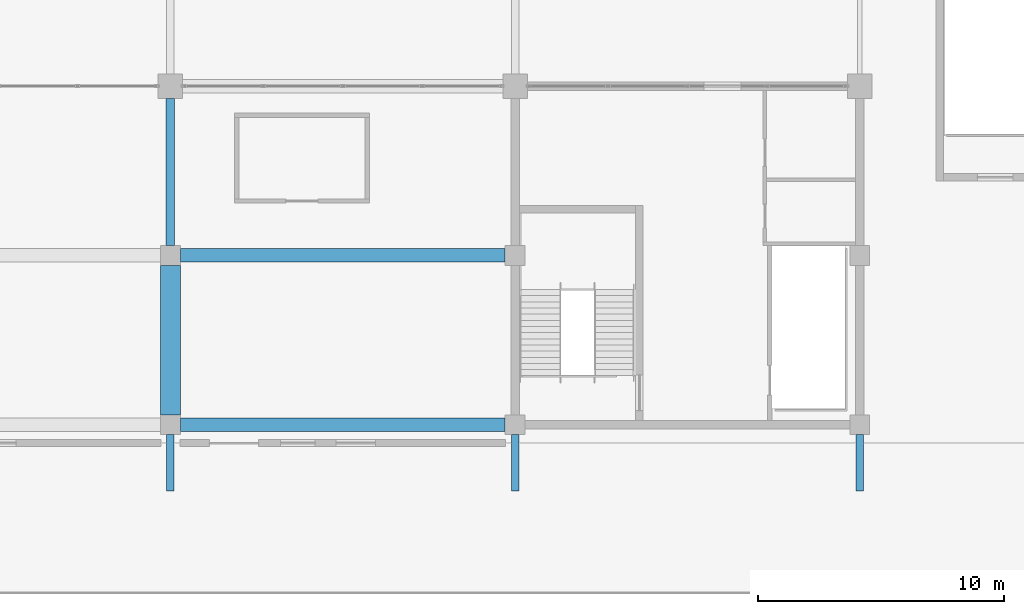
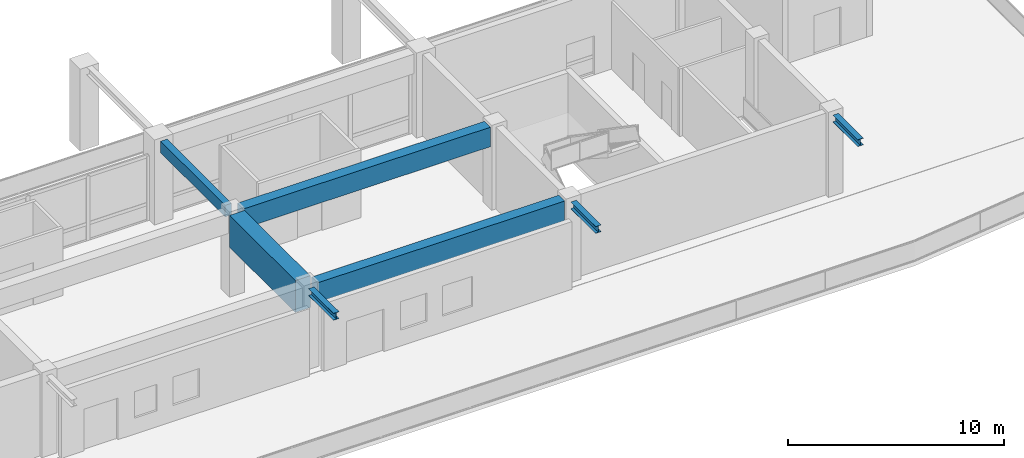
# One storey, part 24 of 91: 7 beams.
"""IFC4 building model written with IfcOpenShell, lengths in metres."""

from ifc_helpers import new_model, si_unit, direction, frame, origin, origin_2d, place, context, subcontext, project, spatial, rectangle, i_section, extrude, material, material_profile, profile_set, type_object, element, save


model = new_model("IFC4")

# Units and contexts
model_context = context("Model", 3, precision=1e-05, world=origin(), true_north=direction((0.0, 1.0)))
body_context = subcontext(model_context, "Body", "Model", "MODEL_VIEW")
ifc_project = project(units=[si_unit("LENGTHUNIT", "METRE"), si_unit("AREAUNIT", "SQUARE_METRE"), si_unit("VOLUMEUNIT", "CUBIC_METRE"), si_unit("PLANEANGLEUNIT", "RADIAN"), si_unit("MASSUNIT", "GRAM", prefix="KILO")], contexts=[model_context])

# Site, building, storey
site_placement = place(None, origin())
site = spatial("IfcSite", under=ifc_project, at=site_placement, CompositionType="ELEMENT")
building_placement = place(site_placement, origin())
building = spatial("IfcBuilding", under=site, at=building_placement, Name="Linyun Crest Stadium", CompositionType="ELEMENT")
storey_placement = place(building_placement, frame((0.0, 0.0, 11.39990234375)))
storey = spatial("IfcBuildingStorey", under=building, at=storey_placement, Name="L03", CompositionType="ELEMENT", Elevation=11.39990234375)

# Beams
ifc_material_1 = material(Name="Concrete C40", Category="concrete")
ifc_material_profile_1 = material_profile(ifc_material_1, rectangle(XDim=0.35009765625, YDim=0.64990234375, at=origin_2d()), Name="RCB 650x350")
ifc_profile_set_1 = profile_set([ifc_material_profile_1], Name="Concrete C40")
beam_type_1 = type_object("IfcBeamType", Name="B02", PredefinedType="BEAM", material=ifc_profile_set_1)
beam_1_placement = place(storey_placement, frame((0.0, -79.97509765625, 4.295166015625), z_axis=(0.0, 1.0, 0.0), x_axis=(-1.0, 0.0, 0.0)))
element("IfcBeam", 1, at=beam_1_placement, inside=storey, type_object=beam_type_1, Name="Frame beam B02 L03 936", PredefinedType="BEAM", context=body_context, shape_type="SweptSolid", body=[
    extrude(rectangle(XDim=0.35009765625, YDim=0.64990234375, at=origin_2d()), origin(), (0.0, 0.0, 1.0), 5.97509765625),
])
ifc_material_2 = material(Name="Steel Q355C", Category="steel")
ifc_material_profile_2 = material_profile(ifc_material_2, i_section(OverallWidth=0.300048828125, OverallDepth=0.389892578125, WebThickness=0.010009765625, FlangeThickness=0.01611328125, at=origin_2d()), Name="HM 390x300")
ifc_profile_set_2 = profile_set([ifc_material_profile_2], Name="Steel Q355C")
beam_type_2 = type_object("IfcBeamType", Name="B06", PredefinedType="BEAM", material=ifc_profile_set_2)
for number, where, z_axis, x_axis, name in (
    (2, (0.0, -89.949951171875, 4.364990234375), (0.0, 1.0, 0.0), (-1.0, 0.0, 0.0), "Balcony bracket beam B06 L03 930"),
    (3, (14.0, -89.949951171875, 4.364990234375), (0.0, 1.0, 0.0), (-1.0, 0.0, 0.0), "Balcony bracket beam B06 L03 931"),
    (4, (28.0, -89.949951171875, 4.364990234375), (0.0, 1.0, 0.0), (-1.0, 0.0, 0.0), "Balcony bracket beam B06 L03 932"),
):
    element("IfcBeam", number, at=place(storey_placement, frame(where, z_axis=z_axis, x_axis=x_axis)), inside=storey, type_object=beam_type_2, Name=name, PredefinedType="BEAM", context=body_context, shape_type="SweptSolid", body=[
        extrude(i_section(OverallWidth=0.300048828125, OverallDepth=0.389892578125, WebThickness=0.010009765625, FlangeThickness=0.01611328125, at=origin_2d()), origin(), (0.0, 0.0, 1.0), 2.300048828125),
    ])
ifc_material_3 = material(Name="Concrete C50", Category="concrete")
ifc_material_profile_3 = material_profile(ifc_material_3, rectangle(XDim=0.800048828125, YDim=1.800048828125, at=origin_2d()), Name="RCB 1800x800")
ifc_profile_set_3 = profile_set([ifc_material_profile_3], Name="Concrete C50")
beam_type_3 = type_object("IfcBeamType", Name="B14", PredefinedType="BEAM", material=ifc_profile_set_3)
beam_2_placement = place(storey_placement, frame((0.0, -86.85009765625, 3.72021484375), z_axis=(0.0, 1.0, 0.0), x_axis=(-1.0, 0.0, 0.0)))
element("IfcBeam", 5, at=beam_2_placement, inside=storey, type_object=beam_type_3, Name="Frame beam B14 L03 935", PredefinedType="BEAM", context=body_context, shape_type="SweptSolid", body=[
    extrude(rectangle(XDim=0.800048828125, YDim=1.800048828125, at=origin_2d()), origin(), (0.0, 0.0, 1.0), 6.0751953125),
])
ifc_material_4 = material(Name="Concrete C50", Category="concrete")
ifc_material_profile_4 = material_profile(ifc_material_4, rectangle(XDim=0.550048828125, YDim=1.10009765625, at=origin_2d()), Name="RCB 1100x550")
ifc_profile_set_4 = profile_set([ifc_material_profile_4], Name="Concrete C50")
beam_type_4 = type_object("IfcBeamType", Name="TB01", PredefinedType="USERDEFINED", material=ifc_profile_set_4)
for number, where, z_axis, x_axis, name in (
    (6, (0.39990234375, -87.25, 4.070068359375), (1.0, 0.0, 0.0), (0.0, 1.0, 0.0), "Frame beam TB01 L03 924"),
    (7, (0.39990234375, -80.375, 4.070068359375), (1.0, 0.0, 0.0), (0.0, 1.0, 0.0), "Frame beam TB01 L03 926"),
):
    element("IfcBeam", number, at=place(storey_placement, frame(where, z_axis=z_axis, x_axis=x_axis)), inside=storey, type_object=beam_type_4, Name=name, ObjectType="GIRDER", PredefinedType="USERDEFINED", context=body_context, shape_type="SweptSolid", body=[
        extrude(rectangle(XDim=0.550048828125, YDim=1.10009765625, at=origin_2d()), origin(), (0.0, 0.0, 1.0), 13.2001953125),
    ])

save(model, "model.ifc")
